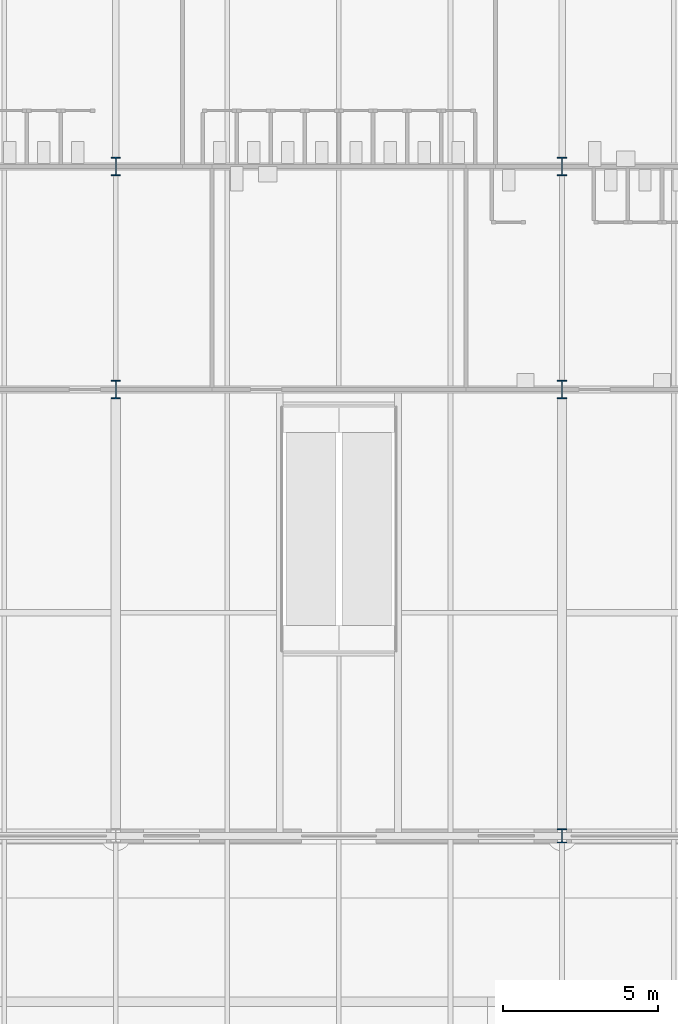
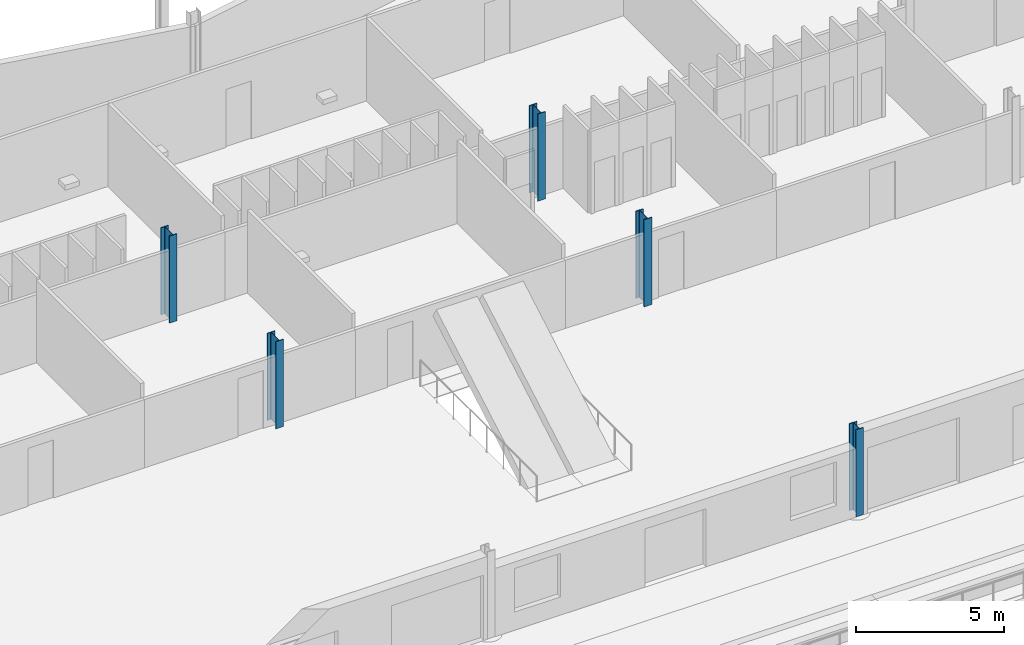
# One storey, part 2 of 143: 5 columns.
"""IFC4 building model written with IfcOpenShell, lengths in metres."""

from ifc_helpers import new_model, si_unit, direction, frame, origin, origin_2d, place, context, subcontext, project, spatial, i_section, extrude, material, material_profile, profile_set, type_object, element, save


model = new_model("IFC4")

# Units and contexts
model_context = context("Model", 3, precision=1e-05, world=origin(), true_north=direction((0.0, 1.0)))
body_context = subcontext(model_context, "Body", "Model", "MODEL_VIEW")
ifc_project = project(units=[si_unit("LENGTHUNIT", "METRE"), si_unit("AREAUNIT", "SQUARE_METRE"), si_unit("VOLUMEUNIT", "CUBIC_METRE"), si_unit("PLANEANGLEUNIT", "RADIAN"), si_unit("MASSUNIT", "GRAM", prefix="KILO")], contexts=[model_context])

# Site, building, storey
site_placement = place(None, origin())
site = spatial("IfcSite", under=ifc_project, at=site_placement, CompositionType="ELEMENT")
building_placement = place(site_placement, origin())
building = spatial("IfcBuilding", under=site, at=building_placement, Name="Kupolbacken Congress Centre", CompositionType="ELEMENT")
storey_placement = place(building_placement, frame((0.0, 0.0, 7.199951171875)))
storey = spatial("IfcBuildingStorey", under=building, at=storey_placement, Name="L02", CompositionType="ELEMENT", Elevation=7.199951171875)

# Columns
ifc_material_1 = material(Name="Steel S355", Category="steel")
ifc_material_profile_1 = material_profile(ifc_material_1, i_section(OverallWidth=0.300048828125, OverallDepth=0.449951171875, WebThickness=0.013916015625, FlangeThickness=0.02587890625, FilletRadius=0.027099609375, at=origin_2d()), Name="HEB 450")
ifc_profile_set_1 = profile_set([ifc_material_profile_1], Name="Steel S355")
column_type_1 = type_object("IfcColumnType", Name="C03 column HEB 450", PredefinedType="COLUMN", material=ifc_profile_set_1)
column_placement = place(storey_placement, frame((50.39990234375, 28.800048828125, 0.0), z_axis=(0.0, 0.0, 1.0), x_axis=(1.0, 0.0, 0.0)))
element("IfcColumn", 1, at=column_placement, inside=storey, type_object=column_type_1, Name="S/col/C-F-8E/L02", PredefinedType="COLUMN", context=body_context, shape_type="SweptSolid", body=[
    extrude(i_section(OverallWidth=0.300048828125, OverallDepth=0.449951171875, WebThickness=0.013916015625, FlangeThickness=0.02587890625, FilletRadius=0.027099609375, at=origin_2d()), origin(), (0.0, 0.0, 1.0), 3.60009765625),
])
ifc_material_2 = material(Name="Steel S355", Category="steel")
ifc_material_profile_2 = material_profile(ifc_material_2, i_section(OverallWidth=0.300048828125, OverallDepth=0.60009765625, WebThickness=0.015380859375, FlangeThickness=0.030029296875, FilletRadius=0.027099609375, at=origin_2d()), Name="HEB 600")
ifc_profile_set_2 = profile_set([ifc_material_profile_2], Name="Steel S355")
column_type_2 = type_object("IfcColumnType", Name="C05 column HEB 600", PredefinedType="COLUMN", material=ifc_profile_set_2)
for number, where, z_axis, x_axis, name in (
    (2, (36.0, 43.199951171875, 0.0), (0.0, 0.0, 1.0), (1.0, 0.0, 0.0), "S/col/C-F-6G/L02"),
    (3, (36.0, 50.39990234375, 0.0), (0.0, 0.0, 1.0), (1.0, 0.0, 0.0), "S/col/C-F-6H/L02"),
    (4, (50.39990234375, 43.199951171875, 0.0), (0.0, 0.0, 1.0), (1.0, 0.0, 0.0), "S/col/C-F-8G/L02"),
    (5, (50.39990234375, 50.39990234375, 0.0), (0.0, 0.0, 1.0), (1.0, 0.0, 0.0), "S/col/C-F-8H/L02"),
):
    element("IfcColumn", number, at=place(storey_placement, frame(where, z_axis=z_axis, x_axis=x_axis)), inside=storey, type_object=column_type_2, Name=name, PredefinedType="COLUMN", context=body_context, shape_type="SweptSolid", body=[
        extrude(i_section(OverallWidth=0.300048828125, OverallDepth=0.60009765625, WebThickness=0.015380859375, FlangeThickness=0.030029296875, FilletRadius=0.027099609375, at=origin_2d()), origin(), (0.0, 0.0, 1.0), 3.60009765625),
    ])

save(model, "model.ifc")
